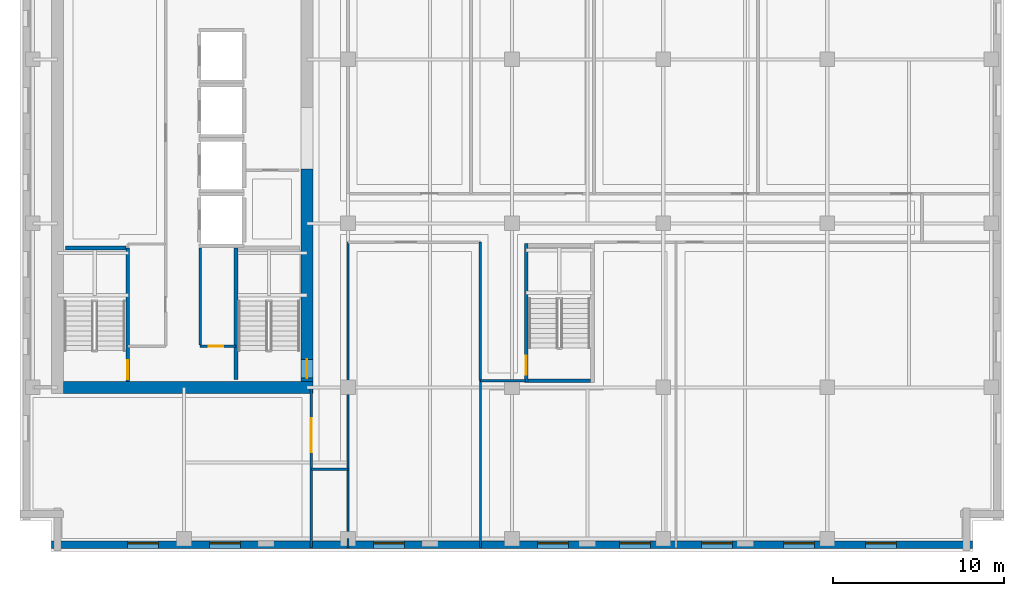
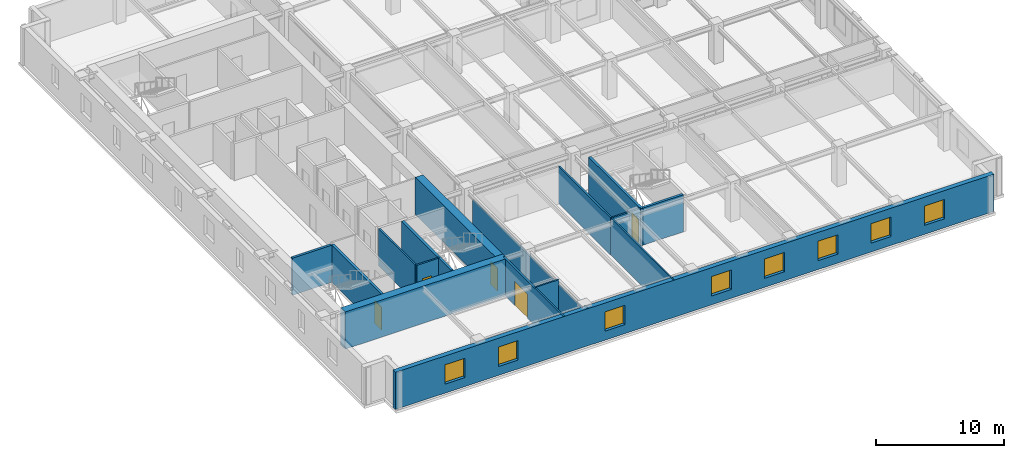
# One storey, part 3 of 11: 17 walls, 8 windows, 5 doors, 13 openings.
"""IFC4 building model written with IfcOpenShell, lengths in metres."""

from ifc_helpers import new_model, si_unit, direction, frame, frame_2d, origin, place, context, subcontext, project, spatial, rectangle, extrude, material, layer, layer_set, type_object, element, fill, save


model = new_model("IFC4")

# Units and contexts
model_context = context("Model", 3, precision=1e-05, world=origin(), true_north=direction((0.0, 1.0)))
body_context = subcontext(model_context, "Body", "Model", "MODEL_VIEW")
ifc_project = project(units=[si_unit("LENGTHUNIT", "METRE"), si_unit("AREAUNIT", "SQUARE_METRE"), si_unit("VOLUMEUNIT", "CUBIC_METRE"), si_unit("PLANEANGLEUNIT", "RADIAN"), si_unit("MASSUNIT", "GRAM", prefix="KILO")], contexts=[model_context])

# Site, building, storey
site_placement = place(None, origin())
site = spatial("IfcSite", under=ifc_project, at=site_placement, CompositionType="ELEMENT")
building_placement = place(site_placement, origin())
building = spatial("IfcBuilding", under=site, at=building_placement, Name="Norrvale University Quadrangle", CompositionType="ELEMENT")
storey_placement = place(building_placement, frame((0.0, 0.0, 202.800048828125)))
storey = spatial("IfcBuildingStorey", under=building, at=storey_placement, Name="L51", CompositionType="ELEMENT", Elevation=202.800048828125)

# Wall, openings, windows
ifc_material_1 = material(Name="Buff Norman Clay Brick Masonry", Category="masonry")
ifc_layer_1 = layer(ifc_material_1, 0.419921875, Name="Buff Norman Clay Brick Masonry")
ifc_layer_set_1 = layer_set([ifc_layer_1], Name="Buff Norman Clay Brick Masonry")
wall_type_1 = type_object("IfcWallType", Name="Wall Buff Brick 420", PredefinedType="SOLIDWALL", material=ifc_layer_set_1)
wall_1_placement = place(storey_placement, frame((1.840087890625, 0.389892578125, 0.0), z_axis=(0.0, 0.0, 1.0), x_axis=(1.0, 0.0, 0.0)))
wall_1 = element("IfcWall", 1, at=wall_1_placement, inside=storey, type_object=wall_type_1, Name="Exterior Brick Facade Wall L51-01.1", PredefinedType="SOLIDWALL", context=body_context, shape_type="SweptSolid", body=[
    extrude(rectangle(XDim=53.919921875, YDim=0.419921875, at=frame_2d((26.9599609375, 0.0))), origin(), (0.0, 0.0, 1.0), 3.5400390625),
])
opening_1_placement = place(wall_1_placement, frame((4.4599609375, 0.0, 0.85009765625)))
opening_1 = element("IfcOpeningElement", 2, at=opening_1_placement, cuts=wall_1, Name="Opening W01", PredefinedType="OPENING", context=body_context, shape_type="SweptSolid", body=[
    extrude(rectangle(XDim=1.800048828125, YDim=1.85009765625, at=frame_2d((0.89990234375, 0.925048828125))), frame((0.0, 0.221923828125, 0.0), z_axis=(0.0, -1.0, 0.0), x_axis=(1.0, 0.0, 0.0)), (0.0, 0.0, 1.0), 0.44384765625),
])
opening_2_placement = place(wall_1_placement, frame((9.260009765625, 0.0, 0.85009765625)))
opening_2 = element("IfcOpeningElement", 3, at=opening_2_placement, cuts=wall_1, Name="Opening W01", PredefinedType="OPENING", context=body_context, shape_type="SweptSolid", body=[
    extrude(rectangle(XDim=1.800048828125, YDim=1.85009765625, at=frame_2d((0.89990234375, 0.925048828125))), frame((0.0, 0.221923828125, 0.0), z_axis=(0.0, -1.0, 0.0), x_axis=(1.0, 0.0, 0.0)), (0.0, 0.0, 1.0), 0.44384765625),
])
opening_3_placement = place(wall_1_placement, frame((18.860107421875, 0.0, 0.85009765625)))
opening_3 = element("IfcOpeningElement", 4, at=opening_3_placement, cuts=wall_1, Name="Opening W01", PredefinedType="OPENING", context=body_context, shape_type="SweptSolid", body=[
    extrude(rectangle(XDim=1.800048828125, YDim=1.85009765625, at=frame_2d((0.89990234375, 0.925048828125))), frame((0.0, 0.221923828125, 0.0), z_axis=(0.0, -1.0, 0.0), x_axis=(1.0, 0.0, 0.0)), (0.0, 0.0, 1.0), 0.44384765625),
])
opening_4_placement = place(wall_1_placement, frame((28.4599609375, 0.0, 0.85009765625)))
opening_4 = element("IfcOpeningElement", 5, at=opening_4_placement, cuts=wall_1, Name="Opening W01", PredefinedType="OPENING", context=body_context, shape_type="SweptSolid", body=[
    extrude(rectangle(XDim=1.800048828125, YDim=1.85009765625, at=frame_2d((0.89990234375, 0.925048828125))), frame((0.0, 0.221923828125, 0.0), z_axis=(0.0, -1.0, 0.0), x_axis=(1.0, 0.0, 0.0)), (0.0, 0.0, 1.0), 0.44384765625),
])
opening_5_placement = place(wall_1_placement, frame((33.260009765625, 0.0, 0.85009765625)))
opening_5 = element("IfcOpeningElement", 6, at=opening_5_placement, cuts=wall_1, Name="Opening W01", PredefinedType="OPENING", context=body_context, shape_type="SweptSolid", body=[
    extrude(rectangle(XDim=1.800048828125, YDim=1.85009765625, at=frame_2d((0.89990234375, 0.925048828125))), frame((0.0, 0.221923828125, 0.0), z_axis=(0.0, -1.0, 0.0), x_axis=(1.0, 0.0, 0.0)), (0.0, 0.0, 1.0), 0.44384765625),
])
opening_6_placement = place(wall_1_placement, frame((38.06005859375, 0.0, 0.85009765625)))
opening_6 = element("IfcOpeningElement", 7, at=opening_6_placement, cuts=wall_1, Name="Opening W01", PredefinedType="OPENING", context=body_context, shape_type="SweptSolid", body=[
    extrude(rectangle(XDim=1.800048828125, YDim=1.85009765625, at=frame_2d((0.89990234375, 0.925048828125))), frame((0.0, 0.221923828125, 0.0), z_axis=(0.0, -1.0, 0.0), x_axis=(1.0, 0.0, 0.0)), (0.0, 0.0, 1.0), 0.44384765625),
])
opening_7_placement = place(wall_1_placement, frame((42.860107421875, 0.0, 0.85009765625)))
opening_7 = element("IfcOpeningElement", 8, at=opening_7_placement, cuts=wall_1, Name="Opening W01", PredefinedType="OPENING", context=body_context, shape_type="SweptSolid", body=[
    extrude(rectangle(XDim=1.800048828125, YDim=1.85009765625, at=frame_2d((0.89990234375, 0.925048828125))), frame((0.0, 0.221923828125, 0.0), z_axis=(0.0, -1.0, 0.0), x_axis=(1.0, 0.0, 0.0)), (0.0, 0.0, 1.0), 0.44384765625),
])
opening_8_placement = place(wall_1_placement, frame((47.659912109375, 0.0, 0.85009765625)))
opening_8 = element("IfcOpeningElement", 9, at=opening_8_placement, cuts=wall_1, Name="Opening W01", PredefinedType="OPENING", context=body_context, shape_type="SweptSolid", body=[
    extrude(rectangle(XDim=1.800048828125, YDim=1.85009765625, at=frame_2d((0.89990234375, 0.925048828125))), frame((0.0, 0.221923828125, 0.0), z_axis=(0.0, -1.0, 0.0), x_axis=(1.0, 0.0, 0.0)), (0.0, 0.0, 1.0), 0.44384765625),
])
ifc_material_2 = material(Name="Triple Low-E Argon Glazing", Category="glass")
window_type = type_object("IfcWindowType", Name="Window Academic 1800x2300", PartitioningType="DOUBLE_PANEL_VERTICAL", PredefinedType="WINDOW", material=ifc_material_2)
window_1_placement = place(opening_1_placement, origin())
window_1 = element("IfcWindow", 10, at=window_1_placement, inside=storey, type_object=window_type, Name="Window Academic 1800x2300 WIN-L51-E01-1-01", OverallHeight=1.85009765625, OverallWidth=1.800048828125, PartitioningType="DOUBLE_PANEL_VERTICAL", PredefinedType="WINDOW", context=body_context, shape_type="SweptSolid", body=[
    extrude(rectangle(XDim=1.800048828125, YDim=1.85009765625, at=frame_2d((0.89990234375, 0.925048828125))), frame((0.0, 0.110107421875, 0.0), z_axis=(0.0, -1.0, 0.0), x_axis=(1.0, 0.0, 0.0)), (0.0, 0.0, 1.0), 0.06005859375),
])
fill(opening_1, window_1)
window_2_placement = place(opening_2_placement, origin())
window_2 = element("IfcWindow", 11, at=window_2_placement, inside=storey, type_object=window_type, Name="Window Academic 1800x2300 WIN-L51-E01-1-02", OverallHeight=1.85009765625, OverallWidth=1.800048828125, PartitioningType="DOUBLE_PANEL_VERTICAL", PredefinedType="WINDOW", context=body_context, shape_type="SweptSolid", body=[
    extrude(rectangle(XDim=1.800048828125, YDim=1.85009765625, at=frame_2d((0.89990234375, 0.925048828125))), frame((0.0, 0.110107421875, 0.0), z_axis=(0.0, -1.0, 0.0), x_axis=(1.0, 0.0, 0.0)), (0.0, 0.0, 1.0), 0.06005859375),
])
fill(opening_2, window_2)
window_3_placement = place(opening_3_placement, origin())
window_3 = element("IfcWindow", 12, at=window_3_placement, inside=storey, type_object=window_type, Name="Window Academic 1800x2300 WIN-L51-E01-1-03", OverallHeight=1.85009765625, OverallWidth=1.800048828125, PartitioningType="DOUBLE_PANEL_VERTICAL", PredefinedType="WINDOW", context=body_context, shape_type="SweptSolid", body=[
    extrude(rectangle(XDim=1.800048828125, YDim=1.85009765625, at=frame_2d((0.89990234375, 0.925048828125))), frame((0.0, 0.110107421875, 0.0), z_axis=(0.0, -1.0, 0.0), x_axis=(1.0, 0.0, 0.0)), (0.0, 0.0, 1.0), 0.06005859375),
])
fill(opening_3, window_3)
window_4_placement = place(opening_4_placement, origin())
window_4 = element("IfcWindow", 13, at=window_4_placement, inside=storey, type_object=window_type, Name="Window Academic 1800x2300 WIN-L51-E01-1-04", OverallHeight=1.85009765625, OverallWidth=1.800048828125, PartitioningType="DOUBLE_PANEL_VERTICAL", PredefinedType="WINDOW", context=body_context, shape_type="SweptSolid", body=[
    extrude(rectangle(XDim=1.800048828125, YDim=1.85009765625, at=frame_2d((0.89990234375, 0.925048828125))), frame((0.0, 0.110107421875, 0.0), z_axis=(0.0, -1.0, 0.0), x_axis=(1.0, 0.0, 0.0)), (0.0, 0.0, 1.0), 0.06005859375),
])
fill(opening_4, window_4)
window_5_placement = place(opening_5_placement, origin())
window_5 = element("IfcWindow", 14, at=window_5_placement, inside=storey, type_object=window_type, Name="Window Academic 1800x2300 WIN-L51-E01-1-05", OverallHeight=1.85009765625, OverallWidth=1.800048828125, PartitioningType="DOUBLE_PANEL_VERTICAL", PredefinedType="WINDOW", context=body_context, shape_type="SweptSolid", body=[
    extrude(rectangle(XDim=1.800048828125, YDim=1.85009765625, at=frame_2d((0.89990234375, 0.925048828125))), frame((0.0, 0.110107421875, 0.0), z_axis=(0.0, -1.0, 0.0), x_axis=(1.0, 0.0, 0.0)), (0.0, 0.0, 1.0), 0.06005859375),
])
fill(opening_5, window_5)
window_6_placement = place(opening_6_placement, origin())
window_6 = element("IfcWindow", 15, at=window_6_placement, inside=storey, type_object=window_type, Name="Window Academic 1800x2300 WIN-L51-E01-1-06", OverallHeight=1.85009765625, OverallWidth=1.800048828125, PartitioningType="DOUBLE_PANEL_VERTICAL", PredefinedType="WINDOW", context=body_context, shape_type="SweptSolid", body=[
    extrude(rectangle(XDim=1.800048828125, YDim=1.85009765625, at=frame_2d((0.89990234375, 0.925048828125))), frame((0.0, 0.110107421875, 0.0), z_axis=(0.0, -1.0, 0.0), x_axis=(1.0, 0.0, 0.0)), (0.0, 0.0, 1.0), 0.06005859375),
])
fill(opening_6, window_6)
window_7_placement = place(opening_7_placement, origin())
window_7 = element("IfcWindow", 16, at=window_7_placement, inside=storey, type_object=window_type, Name="Window Academic 1800x2300 WIN-L51-E01-1-07", OverallHeight=1.85009765625, OverallWidth=1.800048828125, PartitioningType="DOUBLE_PANEL_VERTICAL", PredefinedType="WINDOW", context=body_context, shape_type="SweptSolid", body=[
    extrude(rectangle(XDim=1.800048828125, YDim=1.85009765625, at=frame_2d((0.89990234375, 0.925048828125))), frame((0.0, 0.110107421875, 0.0), z_axis=(0.0, -1.0, 0.0), x_axis=(1.0, 0.0, 0.0)), (0.0, 0.0, 1.0), 0.06005859375),
])
fill(opening_7, window_7)
window_8_placement = place(opening_8_placement, origin())
window_8 = element("IfcWindow", 17, at=window_8_placement, inside=storey, type_object=window_type, Name="Window Academic 1800x2300 WIN-L51-E01-1-08", OverallHeight=1.85009765625, OverallWidth=1.800048828125, PartitioningType="DOUBLE_PANEL_VERTICAL", PredefinedType="WINDOW", context=body_context, shape_type="SweptSolid", body=[
    extrude(rectangle(XDim=1.800048828125, YDim=1.85009765625, at=frame_2d((0.89990234375, 0.925048828125))), frame((0.0, 0.110107421875, 0.0), z_axis=(0.0, -1.0, 0.0), x_axis=(1.0, 0.0, 0.0)), (0.0, 0.0, 1.0), 0.06005859375),
])
fill(opening_8, window_8)

# Wall
ifc_material_3 = material(Name="Concrete C60/75", Category="concrete")
ifc_layer_2 = layer(ifc_material_3, 0.699951171875, Name="Concrete C60/75")
ifc_layer_set_2 = layer_set([ifc_layer_2], Name="Concrete C60/75")
wall_type_2 = type_object("IfcWallType", Name="Wall Core 700", PredefinedType="SHEAR", material=ifc_layer_set_2)
wall_2_placement = place(storey_placement, frame((2.550048828125, 9.60009765625, 0.0), z_axis=(0.0, 0.0, 1.0), x_axis=(1.0, 0.0, 0.0)))
element("IfcWall", 18, at=wall_2_placement, inside=storey, type_object=wall_type_2, Name="Tower Core Shear Wall L51-S", PredefinedType="SHEAR", context=body_context, shape_type="SweptSolid", body=[
    extrude(rectangle(XDim=14.599853515625, YDim=0.699951171875, at=frame_2d((7.2998046875, 0.0))), origin(), (0.0, 0.0, 1.0), 3.5400390625),
])

# Wall, opening, door
wall_3_placement = place(storey_placement, frame((16.800048828125, 9.949951171875, 0.0), z_axis=(0.0, 0.0, 1.0), x_axis=(0.0, 1.0, 0.0)))
wall_3 = element("IfcWall", 19, at=wall_3_placement, inside=storey, type_object=wall_type_2, Name="Tower Core Shear Wall L51-E1", PredefinedType="SHEAR", context=body_context, shape_type="SweptSolid", body=[
    extrude(rectangle(XDim=12.449951171875, YDim=0.699951171875, at=frame_2d((6.22509765625, 0.0))), origin(), (0.0, 0.0, 1.0), 3.5400390625),
])
opening_9_placement = place(wall_3_placement, frame((0.18994140625, 0.0, 0.0)))
opening_9 = element("IfcOpeningElement", 20, at=opening_9_placement, cuts=wall_3, Name="Opening D02", PredefinedType="OPENING", context=body_context, shape_type="SweptSolid", body=[
    extrude(rectangle(XDim=1.10009765625, YDim=2.199951171875, at=frame_2d((0.550048828125, 1.10009765625))), frame((0.0, 0.362060546875, 0.0), z_axis=(0.0, -1.0, 0.0), x_axis=(1.0, 0.0, 0.0)), (0.0, 0.0, 1.0), 0.723876953125),
])
ifc_material_4 = material(Name="Hollow Steel 350W Fire Door", Category="steel")
door_type_1 = type_object("IfcDoorType", Name="Door Stair Exit 1100x2200", OperationType="NOTDEFINED", PredefinedType="DOOR", material=ifc_material_4)
door_1_placement = place(opening_9_placement, origin())
door_1 = element("IfcDoor", 21, at=door_1_placement, inside=storey, type_object=door_type_1, Name="Door Stair Exit 1100x2200 DR-L51-ST03", OperationType="SINGLE_SWING_LEFT", OverallHeight=2.199951171875, OverallWidth=1.10009765625, PredefinedType="DOOR", context=body_context, shape_type="SweptSolid", body=[
    extrude(rectangle(XDim=1.10009765625, YDim=2.199951171875, at=frame_2d((0.550048828125, 1.10009765625))), frame((0.0, 0.02490234375, 0.0), z_axis=(0.0, -1.0, 0.0), x_axis=(1.0, 0.0, 0.0)), (0.0, 0.0, 1.0), 0.050048828125),
])
fill(opening_9, door_1)

# Walls
ifc_material_5 = material(Name="Standard Academic Gypsum Partition")
ifc_layer_3 = layer(ifc_material_5, 0.125, Name="Standard Academic Gypsum Partition")
ifc_layer_set_3 = layer_set([ifc_layer_3], Name="Standard Academic Gypsum Partition")
wall_type_3 = type_object("IfcWallType", Name="Wall Gypsum Academic 125", PredefinedType="PARTITIONING", material=ifc_layer_set_3)
wall_4_placement = place(storey_placement, frame((19.199951171875, 0.219970703125, 0.0), z_axis=(0.0, 0.0, 1.0), x_axis=(0.0, 1.0, 0.0)))
element("IfcWall", 22, at=wall_4_placement, inside=storey, type_object=wall_type_3, Name="Interior Partition WL-L51-SE-W0", PredefinedType="PARTITIONING", context=body_context, shape_type="SweptSolid", body=[
    extrude(rectangle(XDim=0.530029296875, YDim=0.125, at=frame_2d((0.26513671875, 0.0))), origin(), (0.0, 0.0, 1.0), 3.5400390625),
])
wall_5_placement = place(storey_placement, frame((19.199951171875, 0.75, 0.0), z_axis=(0.0, 0.0, 1.0), x_axis=(0.0, 1.0, 0.0)))
element("IfcWall", 23, at=wall_5_placement, inside=storey, type_object=wall_type_3, Name="Interior Partition WL-L51-SE-W0-B2", PredefinedType="PARTITIONING", context=body_context, shape_type="SweptSolid", body=[
    extrude(rectangle(XDim=17.35009765625, YDim=0.125, at=frame_2d((8.675048828125, 0.0))), origin(), (0.0, 0.0, 1.0), 3.071044921875),
])
wall_6_placement = place(storey_placement, frame((26.949951171875, 0.219970703125, 0.0), z_axis=(0.0, 0.0, 1.0), x_axis=(0.0, 1.0, 0.0)))
element("IfcWall", 24, at=wall_6_placement, inside=storey, type_object=wall_type_3, Name="Interior Partition WL-L51-SEP1A", PredefinedType="PARTITIONING", context=body_context, shape_type="SweptSolid", body=[
    extrude(rectangle(XDim=9.780029296875, YDim=0.125, at=frame_2d((4.89013671875, 0.0))), origin(), (0.0, 0.0, 1.0), 3.5400390625),
])

# Wall, opening, door
ifc_material_6 = material(Name="Fire-Rated Gypsum Stud Partition")
ifc_layer_4 = layer(ifc_material_6, 0.14990234375, Name="Fire-Rated Gypsum Stud Partition")
ifc_layer_set_4 = layer_set([ifc_layer_4], Name="Fire-Rated Gypsum Stud Partition")
wall_type_4 = type_object("IfcWallType", Name="Wall Gypsum Corridor 150", PredefinedType="PARTITIONING", material=ifc_layer_set_4)
wall_7_placement = place(storey_placement, frame((10.550048828125, 12.02001953125, 0.0), z_axis=(0.0, 0.0, 1.0), x_axis=(1.0, 0.0, 0.0)))
wall_7 = element("IfcWall", 25, at=wall_7_placement, inside=storey, type_object=wall_type_4, Name="Interior Partition WL-L51-SC-NR", PredefinedType="PARTITIONING", context=body_context, shape_type="SweptSolid", body=[
    extrude(rectangle(XDim=2.079833984375, YDim=0.14990234375, at=frame_2d((1.0400390625, 0.0))), origin(), (0.0, 0.0, 1.0), 3.5400390625),
])
opening_10_placement = place(wall_7_placement, frame((0.5, 0.0, 0.0)))
opening_10 = element("IfcOpeningElement", 26, at=opening_10_placement, cuts=wall_7, Name="Opening D10", PredefinedType="OPENING", context=body_context, shape_type="SweptSolid", body=[
    extrude(rectangle(XDim=0.85009765625, YDim=2.10009765625, at=frame_2d((0.425048828125, 1.050048828125))), frame((0.0, 0.0869140625, 0.0), z_axis=(0.0, -1.0, 0.0), x_axis=(1.0, 0.0, 0.0)), (0.0, 0.0, 1.0), 0.173828125),
])
ifc_material_7 = material(Name="Hollow Steel 350W Riser Fire Door", Category="steel")
door_type_2 = type_object("IfcDoorType", Name="Door Riser 850x2100", OperationType="NOTDEFINED", PredefinedType="DOOR", material=ifc_material_7)
door_2_placement = place(opening_10_placement, origin())
door_2 = element("IfcDoor", 27, at=door_2_placement, inside=storey, type_object=door_type_2, Name="Door Riser 850x2100 DR-L51-IDF", OperationType="SINGLE_SWING_RIGHT", OverallHeight=2.10009765625, OverallWidth=0.85009765625, PredefinedType="DOOR", context=body_context, shape_type="SweptSolid", body=[
    extrude(rectangle(XDim=0.85009765625, YDim=2.10009765625, at=frame_2d((0.425048828125, 1.050048828125))), frame((0.0, 0.02490234375, 0.0), z_axis=(0.0, -1.0, 0.0), x_axis=(1.0, 0.0, 0.0)), (0.0, 0.0, 1.0), 0.050048828125),
])
fill(opening_10, door_2)

# Walls
wall_8_placement = place(storey_placement, frame((10.550048828125, 12.094970703125, 0.0), z_axis=(0.0, 0.0, 1.0), x_axis=(0.0, 1.0, 0.0)))
element("IfcWall", 28, at=wall_8_placement, inside=storey, type_object=wall_type_4, Name="Interior Partition WL-L51-SC-WR", PredefinedType="PARTITIONING", context=body_context, shape_type="SweptSolid", body=[
    extrude(rectangle(XDim=5.679931640625, YDim=0.14990234375, at=frame_2d((2.83984375, 0.0))), origin(), (0.0, 0.0, 1.0), 3.5400390625),
])
wall_9_placement = place(storey_placement, frame((17.050048828125, 4.800048828125, 0.0), z_axis=(0.0, 0.0, 1.0), x_axis=(1.0, 0.0, 0.0)))
element("IfcWall", 29, at=wall_9_placement, inside=storey, type_object=wall_type_4, Name="Interior Partition WL-L51-CSP-S", PredefinedType="PARTITIONING", context=body_context, shape_type="SweptSolid", body=[
    extrude(rectangle(XDim=2.14990234375, YDim=0.14990234375, at=frame_2d((1.074951171875, 0.0))), origin(), (0.0, 0.0, 1.0), 3.5400390625),
])

# Wall, opening, door
wall_10_placement = place(storey_placement, frame((17.050048828125, 0.219970703125, 0.0), z_axis=(0.0, 0.0, 1.0), x_axis=(0.0, 1.0, 0.0)))
wall_10 = element("IfcWall", 30, at=wall_10_placement, inside=storey, type_object=wall_type_4, Name="Interior Partition WL-L51-SW-E", PredefinedType="PARTITIONING", context=body_context, shape_type="SweptSolid", body=[
    extrude(rectangle(XDim=9.380126953125, YDim=0.14990234375, at=frame_2d((4.68994140625, 0.0))), origin(), (0.0, 0.0, 1.0), 3.5400390625),
])
opening_11_placement = place(wall_10_placement, frame((5.580078125, 0.0, 0.0)))
opening_11 = element("IfcOpeningElement", 31, at=opening_11_placement, cuts=wall_10, Name="Opening D06", PredefinedType="OPENING", context=body_context, shape_type="SweptSolid", body=[
    extrude(rectangle(XDim=2.0, YDim=2.300048828125, at=frame_2d((1.0, 1.14990234375))), frame((0.0, 0.0869140625, 0.0), z_axis=(0.0, -1.0, 0.0), x_axis=(1.0, 0.0, 0.0)), (0.0, 0.0, 1.0), 0.173828125),
])
ifc_material_8 = material(Name="Acoustic Oak Double Door", Category="wood")
door_type_3 = type_object("IfcDoorType", Name="Door Lecture Dbl 2000x2300", OperationType="DOUBLE_SWING_LEFT", PredefinedType="DOOR", material=ifc_material_8)
door_3_placement = place(opening_11_placement, origin())
door_3 = element("IfcDoor", 32, at=door_3_placement, inside=storey, type_object=door_type_3, Name="Door Lecture Dbl 2000x2300 DR-L51-SW1", OperationType="DOUBLE_SWING_LEFT", OverallHeight=2.300048828125, OverallWidth=2.0, PredefinedType="DOOR", context=body_context, shape_type="SweptSolid", body=[
    extrude(rectangle(XDim=2.0, YDim=2.300048828125, at=frame_2d((1.0, 1.14990234375))), frame((0.0, 0.02490234375, 0.0), z_axis=(0.0, -1.0, 0.0), x_axis=(1.0, 0.0, 0.0)), (0.0, 0.0, 1.0), 0.050048828125),
])
fill(opening_11, door_3)

# Walls
wall_11_placement = place(storey_placement, frame((26.949951171875, 10.0, 0.0), z_axis=(0.0, 0.0, 1.0), x_axis=(0.0, 1.0, 0.0)))
element("IfcWall", 33, at=wall_11_placement, inside=storey, type_object=wall_type_4, Name="Interior Partition WL-L51-SEP1B", PredefinedType="PARTITIONING", context=body_context, shape_type="SweptSolid", body=[
    extrude(rectangle(XDim=8.10009765625, YDim=0.14990234375, at=frame_2d((4.050048828125, 0.0))), origin(), (0.0, 0.0, 1.0), 3.5400390625),
])
wall_12_placement = place(storey_placement, frame((26.949951171875, 10.0, 0.0), z_axis=(0.0, 0.0, 1.0), x_axis=(1.0, 0.0, 0.0)))
element("IfcWall", 34, at=wall_12_placement, inside=storey, type_object=wall_type_4, Name="Interior Partition WL-L51-SEP1C", PredefinedType="PARTITIONING", context=body_context, shape_type="SweptSolid", body=[
    extrude(rectangle(XDim=2.630126953125, YDim=0.14990234375, at=frame_2d((1.31494140625, 0.0))), origin(), (0.0, 0.0, 1.0), 3.5400390625),
])

# Wall, opening, door
ifc_material_9 = material(Name="Concrete Blockwork 20 MPa Fire Shaft", Category="masonry")
ifc_layer_5 = layer(ifc_material_9, 0.219970703125, Name="Concrete Blockwork 20 MPa Fire Shaft")
ifc_layer_set_5 = layer_set([ifc_layer_5], Name="Concrete Blockwork 20 MPa Fire Shaft")
wall_type_5 = type_object("IfcWallType", Name="Wall Shaft 220", PredefinedType="SOLIDWALL", material=ifc_layer_set_5)
wall_13_placement = place(storey_placement, frame((6.31005859375, 9.949951171875, 0.0), z_axis=(0.0, 0.0, 1.0), x_axis=(0.0, 1.0, 0.0)))
wall_13 = element("IfcWall", 35, at=wall_13_placement, inside=storey, type_object=wall_type_5, Name="Stair ST-01 East Shaft Wall L51", PredefinedType="SOLIDWALL", context=body_context, shape_type="SweptSolid", body=[
    extrude(rectangle(XDim=7.81005859375, YDim=0.219970703125, at=frame_2d((3.905029296875, 0.0))), origin(), (0.0, 0.0, 1.0), 3.5400390625),
])
opening_12_placement = place(wall_13_placement, frame((0.139892578125, 0.0, 0.0)))
opening_12 = element("IfcOpeningElement", 36, at=opening_12_placement, cuts=wall_13, Name="Opening D02", PredefinedType="OPENING", context=body_context, shape_type="SweptSolid", body=[
    extrude(rectangle(XDim=1.10009765625, YDim=2.199951171875, at=frame_2d((0.550048828125, 1.10009765625))), frame((0.0, 0.1220703125, 0.0), z_axis=(0.0, -1.0, 0.0), x_axis=(1.0, 0.0, 0.0)), (0.0, 0.0, 1.0), 0.243896484375),
])
door_4_placement = place(opening_12_placement, origin())
door_4 = element("IfcDoor", 37, at=door_4_placement, inside=storey, type_object=door_type_1, Name="Door Stair Exit 1100x2200 DR-L51-ST01", OperationType="SINGLE_SWING_LEFT", OverallHeight=2.199951171875, OverallWidth=1.10009765625, PredefinedType="DOOR", context=body_context, shape_type="SweptSolid", body=[
    extrude(rectangle(XDim=1.10009765625, YDim=2.199951171875, at=frame_2d((0.550048828125, 1.10009765625))), frame((0.0, 0.02490234375, 0.0), z_axis=(0.0, -1.0, 0.0), x_axis=(1.0, 0.0, 0.0)), (0.0, 0.0, 1.0), 0.050048828125),
])
fill(opening_12, door_4)

# Walls
wall_14_placement = place(storey_placement, frame((2.64990234375, 17.760009765625, 0.0), z_axis=(0.0, 0.0, 1.0), x_axis=(1.0, 0.0, 0.0)))
element("IfcWall", 38, at=wall_14_placement, inside=storey, type_object=wall_type_5, Name="Stair ST-01 North Shaft Wall L51", PredefinedType="SOLIDWALL", context=body_context, shape_type="SweptSolid", body=[
    extrude(rectangle(XDim=3.550048828125, YDim=0.219970703125, at=frame_2d((1.77490234375, 0.0))), origin(), (0.0, 0.0, 1.0), 3.5400390625),
])
wall_15_placement = place(storey_placement, frame((12.639892578125, 10.050048828125, 0.0), z_axis=(0.0, 0.0, 1.0), x_axis=(0.0, 1.0, 0.0)))
element("IfcWall", 39, at=wall_15_placement, inside=storey, type_object=wall_type_5, Name="Stair ST-03 West Shaft Wall L51", PredefinedType="SOLIDWALL", context=body_context, shape_type="SweptSolid", body=[
    extrude(rectangle(XDim=7.7099609375, YDim=0.219970703125, at=frame_2d((3.85498046875, 0.0))), origin(), (0.0, 0.0, 1.0), 3.5400390625),
])
wall_16_placement = place(storey_placement, frame((29.75, 9.989990234375, 0.0), z_axis=(0.0, 0.0, 1.0), x_axis=(1.0, 0.0, 0.0)))
element("IfcWall", 40, at=wall_16_placement, inside=storey, type_object=wall_type_5, Name="Stair ST-04 South Shaft Wall L51", PredefinedType="SOLIDWALL", context=body_context, shape_type="SweptSolid", body=[
    extrude(rectangle(XDim=3.64990234375, YDim=0.219970703125, at=frame_2d((1.824951171875, 0.0))), origin(), (0.0, 0.0, 1.0), 3.5400390625),
])

# Wall, opening, door
wall_17_placement = place(storey_placement, frame((29.639892578125, 9.8798828125, 0.0), z_axis=(0.0, 0.0, 1.0), x_axis=(0.0, 1.0, 0.0)))
wall_17 = element("IfcWall", 41, at=wall_17_placement, inside=storey, type_object=wall_type_5, Name="Stair ST-04 West Shaft Wall L51", PredefinedType="SOLIDWALL", context=body_context, shape_type="SweptSolid", body=[
    extrude(rectangle(XDim=8.14013671875, YDim=0.219970703125, at=frame_2d((4.070068359375, 0.0))), origin(), (0.0, 0.0, 1.0), 3.5400390625),
])
opening_13_placement = place(wall_17_placement, frame((0.469970703125, 0.0, 0.0)))
opening_13 = element("IfcOpeningElement", 42, at=opening_13_placement, cuts=wall_17, Name="Opening D02", PredefinedType="OPENING", context=body_context, shape_type="SweptSolid", body=[
    extrude(rectangle(XDim=1.10009765625, YDim=2.199951171875, at=frame_2d((0.550048828125, 1.10009765625))), frame((0.0, 0.1220703125, 0.0), z_axis=(0.0, -1.0, 0.0), x_axis=(1.0, 0.0, 0.0)), (0.0, 0.0, 1.0), 0.243896484375),
])
door_5_placement = place(opening_13_placement, frame((1.10009765625, 0.0, 0.0), z_axis=(0.0, 0.0, 1.0), x_axis=(-1.0, 0.0, 0.0)))
door_5 = element("IfcDoor", 43, at=door_5_placement, inside=storey, type_object=door_type_1, Name="Door Stair Exit 1100x2200 DR-L51-ST04", OperationType="SINGLE_SWING_RIGHT", OverallHeight=2.199951171875, OverallWidth=1.10009765625, PredefinedType="DOOR", context=body_context, shape_type="SweptSolid", body=[
    extrude(rectangle(XDim=1.10009765625, YDim=2.199951171875, at=frame_2d((0.550048828125, 1.10009765625))), frame((0.0, 0.02490234375, 0.0), z_axis=(0.0, -1.0, 0.0), x_axis=(1.0, 0.0, 0.0)), (0.0, 0.0, 1.0), 0.050048828125),
])
fill(opening_13, door_5)

save(model, "model.ifc")
